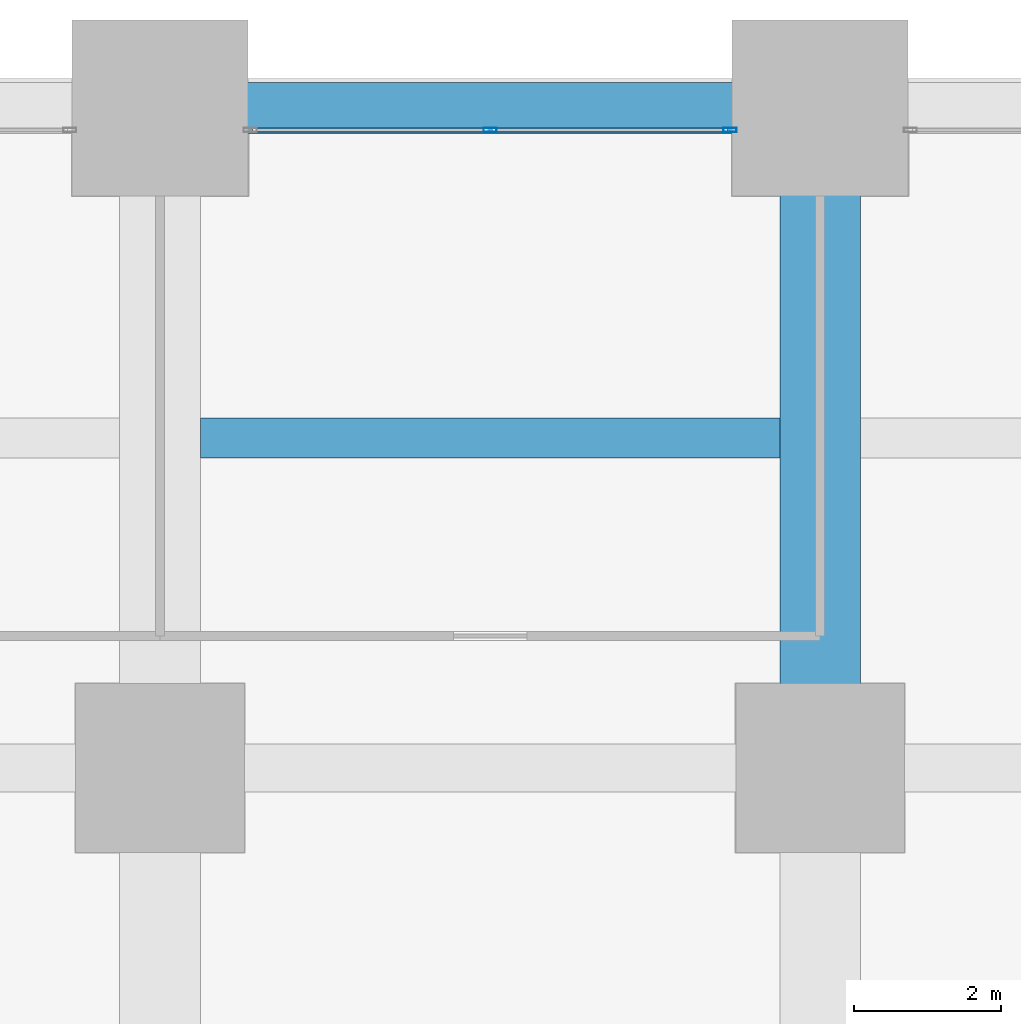
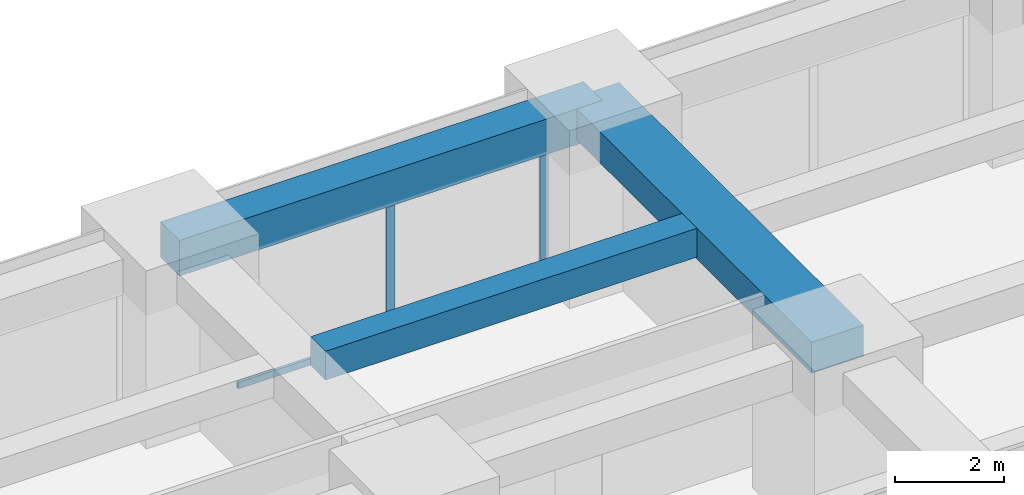
# One storey, part 20 of 39: 3 beams, 3 members, 1 element without a shape of its own.
"""IFC4 building model written with IfcOpenShell, lengths in metres."""

from ifc_helpers import new_model, si_unit, direction, frame, origin, origin_2d, place, context, subcontext, project, spatial, rectangle, hollow_rectangle, extrude, material, material_profile, profile_set, type_object, element, aggregate, save


model = new_model("IFC4")

# Units and contexts
model_context = context("Model", 3, precision=1e-05, world=origin(), true_north=direction((0.0, 1.0)))
body_context = subcontext(model_context, "Body", "Model", "MODEL_VIEW")
ifc_project = project(units=[si_unit("LENGTHUNIT", "METRE"), si_unit("AREAUNIT", "SQUARE_METRE"), si_unit("VOLUMEUNIT", "CUBIC_METRE"), si_unit("PLANEANGLEUNIT", "RADIAN"), si_unit("MASSUNIT", "GRAM", prefix="KILO")], contexts=[model_context])

# Site, building, storey
site_placement = place(None, origin())
site = spatial("IfcSite", under=ifc_project, at=site_placement, CompositionType="ELEMENT")
building_placement = place(site_placement, origin())
building = spatial("IfcBuilding", under=site, at=building_placement, Name="Zorevar Civic Tower", CompositionType="ELEMENT")
storey_placement = place(building_placement, frame((0.0, 0.0, 19.800048828125)))
storey = spatial("IfcBuildingStorey", under=building, at=storey_placement, Name="L04", CompositionType="ELEMENT", Elevation=19.800048828125)

# Beams
ifc_material_1 = material(Name="Concrete C50/60", Category="concrete")
ifc_material_profile_1 = material_profile(ifc_material_1, rectangle(XDim=1.10009765625, YDim=0.699951171875, at=origin_2d()), Name="RC 1100x700")
ifc_profile_set_1 = profile_set([ifc_material_profile_1], Name="Concrete C50/60")
beam_type_1 = type_object("IfcBeamType", Name="Beam RC 1100x700", PredefinedType="BEAM", material=ifc_profile_set_1)
beam_1_placement = place(storey_placement, frame((27.0, 45.0, 3.39990234375), z_axis=(0.0, 1.0, 0.0), x_axis=(-1.0, 0.0, 0.0)))
element("IfcBeam", 1, at=beam_1_placement, inside=storey, type_object=beam_type_1, Name="Girder L05", PredefinedType="BEAM", context=body_context, shape_type="SweptSolid", body=[
    extrude(rectangle(XDim=1.10009765625, YDim=0.699951171875, at=origin_2d()), origin(), (0.0, 0.0, 1.0), 9.0),
])
ifc_material_2 = material(Name="Concrete C50/60", Category="concrete")
ifc_material_profile_2 = material_profile(ifc_material_2, rectangle(XDim=0.550048828125, YDim=0.64990234375, at=origin_2d()), Name="RC 550x650")
ifc_profile_set_2 = profile_set([ifc_material_profile_2], Name="Concrete C50/60")
beam_type_2 = type_object("IfcBeamType", Name="Beam RC 550x650", PredefinedType="BEAM", material=ifc_profile_set_2)
beam_2_placement = place(storey_placement, frame((18.550048828125, 49.5, 3.425048828125), z_axis=(1.0, 0.0, 0.0), x_axis=(0.0, 1.0, 0.0)))
element("IfcBeam", 2, at=beam_2_placement, inside=storey, type_object=beam_type_2, Name="Secondary beam L05", PredefinedType="BEAM", context=body_context, shape_type="SweptSolid", body=[
    extrude(rectangle(XDim=0.550048828125, YDim=0.64990234375, at=origin_2d()), origin(), (0.0, 0.0, 1.0), 7.89990234375),
])

# Curtain wall, members
ifc_material_3 = material(Name="Dark grey solar-control glass in black aluminium frame", Category="aluminium")
curtain_wall_type = type_object("IfcCurtainWallType", Name="Curtain wall CW2 low zone", PredefinedType="NOTDEFINED", material=ifc_material_3)
curtain_wall_placement = place(storey_placement, origin())
curtain_wall = element("IfcCurtainWall", 3, at=curtain_wall_placement, inside=storey, type_object=curtain_wall_type, Name="CW2 L04", PredefinedType="NOTDEFINED")
ifc_material_4 = material(Name="Aluminium, black anodised", Category="aluminium")
ifc_material_profile_3 = material_profile(ifc_material_4, hollow_rectangle(XDim=0.06005859375, YDim=0.179931640625, WallThickness=0.00390625, at=origin_2d()), Name="AL 180x60x4")
ifc_profile_set_3 = profile_set([ifc_material_profile_3], Name="Aluminium, black anodised")
member_type_1 = type_object("IfcMemberType", Name="CW2 mullion AL 180x60x4", PredefinedType="MULLION", material=ifc_profile_set_3)
member_1_placement = place(storey_placement, frame((22.5, 53.699951171875, 0.06005859375), z_axis=(0.0, 0.0, 1.0), x_axis=(0.0, 1.0, 0.0)))
member_1 = element("IfcMember", 4, at=member_1_placement, type_object=member_type_1, Name="CW2 mullion 2", PredefinedType="MULLION", context=body_context, shape_type="SweptSolid", body=[
    extrude(hollow_rectangle(XDim=0.06005859375, YDim=0.179931640625, WallThickness=0.00390625, at=origin_2d()), origin(), (0.0, 0.0, 1.0), 2.889892578125),
])
member_2_placement = place(storey_placement, frame((25.77001953125, 53.699951171875, 0.0), z_axis=(0.0, 0.0, 1.0), x_axis=(0.0, 1.0, 0.0)))
member_2 = element("IfcMember", 5, at=member_2_placement, type_object=member_type_1, Name="CW2 mullion 3", PredefinedType="MULLION", context=body_context, shape_type="SweptSolid", body=[
    extrude(hollow_rectangle(XDim=0.06005859375, YDim=0.179931640625, WallThickness=0.00390625, at=origin_2d()), origin(), (0.0, 0.0, 1.0), 2.949951171875),
])
ifc_material_5 = material(Name="Aluminium, black anodised", Category="aluminium")
ifc_material_profile_4 = material_profile(ifc_material_5, hollow_rectangle(XDim=0.06005859375, YDim=0.14990234375, WallThickness=0.00390625, at=origin_2d()), Name="AL 150x60x4")
ifc_profile_set_4 = profile_set([ifc_material_profile_4], Name="Aluminium, black anodised")
member_type_2 = type_object("IfcMemberType", Name="CW2 transom AL 150x60x4", PredefinedType="USERDEFINED", material=ifc_profile_set_4)
member_3_placement = place(storey_placement, frame((19.260009765625, 53.699951171875, 0.030029296875), z_axis=(1.0, 0.0, 0.0), x_axis=(0.0, 1.0, 0.0)))
member_3 = element("IfcMember", 6, at=member_3_placement, type_object=member_type_2, Name="CW2 sill transom", ObjectType="TRANSOM", PredefinedType="USERDEFINED", context=body_context, shape_type="SweptSolid", body=[
    extrude(hollow_rectangle(XDim=0.06005859375, YDim=0.14990234375, WallThickness=0.00390625, at=origin_2d()), origin(), (0.0, 0.0, 1.0), 6.47998046875),
])
aggregate(curtain_wall, [member_1, member_2, member_3])

# Beam
ifc_material_6 = material(Name="Concrete C50/60", Category="concrete")
ifc_material_profile_5 = material_profile(ifc_material_6, rectangle(XDim=0.699951171875, YDim=0.800048828125, at=origin_2d()), Name="RC 700x800")
ifc_profile_set_5 = profile_set([ifc_material_profile_5], Name="Concrete C50/60")
beam_type_3 = type_object("IfcBeamType", Name="Edge beam RC 700x800", PredefinedType="SPANDREL", material=ifc_profile_set_5)
beam_3_placement = place(storey_placement, frame((18.0, 54.0, 3.349853515625), z_axis=(1.0, 0.0, 0.0), x_axis=(0.0, 1.0, 0.0)))
element("IfcBeam", 7, at=beam_3_placement, inside=storey, type_object=beam_type_3, Name="Edge beam L05", PredefinedType="SPANDREL", context=body_context, shape_type="SweptSolid", body=[
    extrude(rectangle(XDim=0.699951171875, YDim=0.800048828125, at=origin_2d()), origin(), (0.0, 0.0, 1.0), 9.0),
])

save(model, "model.ifc")
